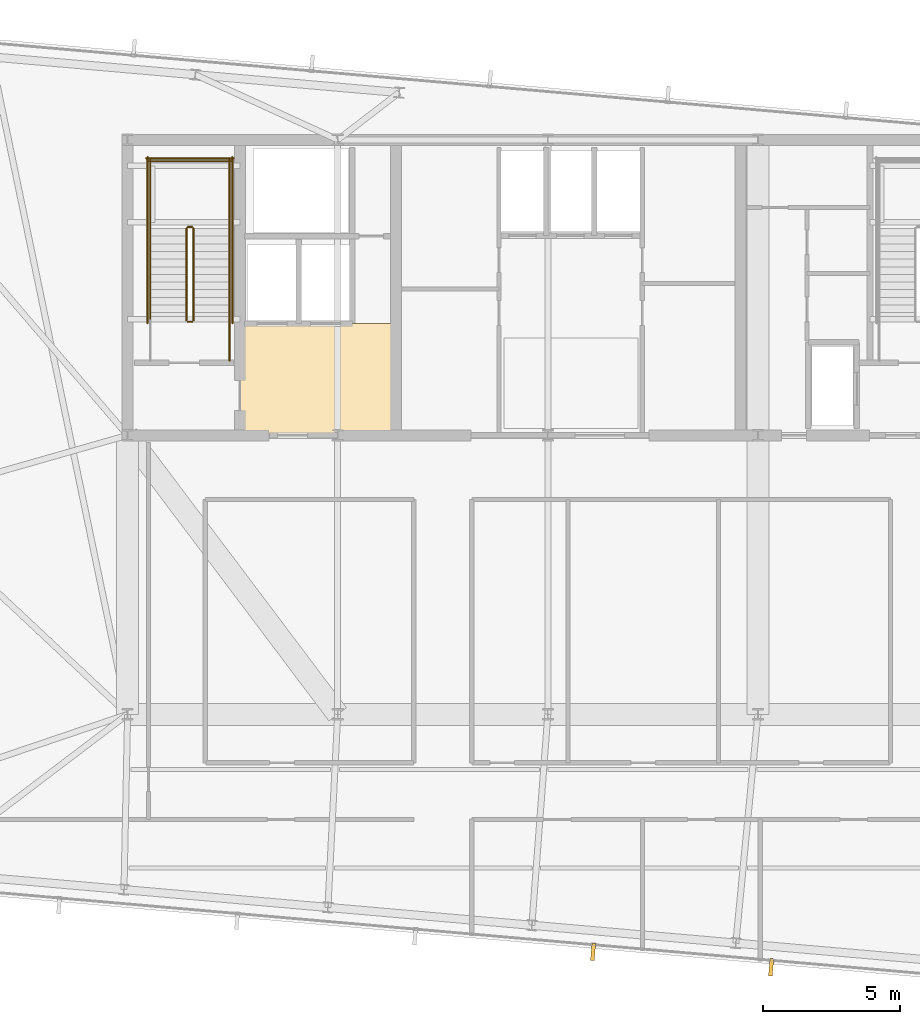
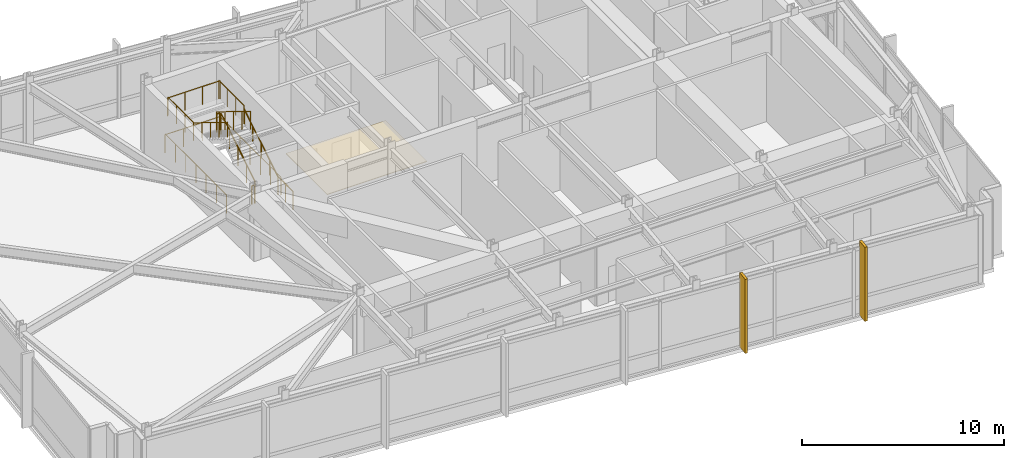
# One storey, part 23 of 25: 13 railings, 2 shading devices, 1 covering.
"""IFC4 building model written with IfcOpenShell, lengths in metres."""

from ifc_helpers import new_model, si_unit, direction, frame, origin, origin_2d, place, context, subcontext, project, spatial, polyline, rectangle, circle, outline, extrude, material, layer, layer_set, type_object, element, save


model = new_model("IFC4")

# Units and contexts
model_context = context("Model", 3, precision=1e-05, world=origin(), true_north=direction((0.0, 1.0)))
body_context = subcontext(model_context, "Body", "Model", "MODEL_VIEW")
ifc_project = project(units=[si_unit("LENGTHUNIT", "METRE"), si_unit("AREAUNIT", "SQUARE_METRE"), si_unit("VOLUMEUNIT", "CUBIC_METRE"), si_unit("PLANEANGLEUNIT", "RADIAN"), si_unit("MASSUNIT", "GRAM", prefix="KILO")], contexts=[model_context])

# Site, building, storey
site_placement = place(None, origin())
site = spatial("IfcSite", under=ifc_project, at=site_placement, CompositionType="ELEMENT")
building_placement = place(site_placement, origin())
building = spatial("IfcBuilding", under=site, at=building_placement, Name="Yelkora Congress Tower", CompositionType="ELEMENT")
storey_placement = place(building_placement, frame((0.0, 0.0, 299.89990234375)))
storey = spatial("IfcBuildingStorey", under=building, at=storey_placement, Name="L84", CompositionType="ELEMENT", Elevation=299.89990234375)

# Covering
ifc_material_1 = material(Name="Perforated mineral-fibre acoustic ceiling", Category="gypsum")
ifc_layer_1 = layer(ifc_material_1, 0.0400390625)
ifc_layer_set_1 = layer_set([ifc_layer_1], Name="Perforated mineral-fibre acoustic ceiling")
covering_type = type_object("IfcCoveringType", Name="COV-CEIL-ACOUSTIC-40", PredefinedType="CEILING", material=ifc_layer_set_1)
covering_placement = place(storey_placement, frame((0.0, 0.0, 2.400146484375)))
element("IfcCovering", 1, at=covering_placement, inside=storey, type_object=covering_type, Name="L84 Firefighting Lobby Acoustic Ceiling", PredefinedType="CEILING", context=body_context, shape_type="SweptSolid", body=[
    extrude(outline(polyline([(27.14990234375, 35.39990234375), (32.85009765625, 35.39990234375), (32.85009765625, 39.47998046875), (27.14990234375, 39.47998046875), (27.14990234375, 35.39990234375)])), origin(), (0.0, 0.0, 1.0), 0.0400390625),
])

# Railings
ifc_material_2 = material(Name="Painted galvanised steel stair well guard with vertical infill", Category="steel")
ifc_layer_2 = layer(ifc_material_2, 0.06005859375)
ifc_layer_set_2 = layer_set([ifc_layer_2], Name="Painted galvanised steel stair well guard with vertical infill")
railing_type_1 = type_object("IfcRailingType", Name="RAIL-STAIR-GUARD-1120", PredefinedType="GUARDRAIL", material=ifc_layer_set_2)
railing_1_placement = place(storey_placement, frame((25.449951171875, 39.60009765625, 0.173095703125)))
element("IfcRailing", 2, at=railing_1_placement, inside=storey, type_object=railing_type_1, Name="ST-01 L84 Stair Well Guardrail 1", PredefinedType="GUARDRAIL", context=body_context, shape_type="SweptSolid", body=[
    extrude(circle(Radius=0.02392578125, at=origin_2d()), frame((0.0, 0.0, 1.09619140625), z_axis=(0.0, 0.850606129759, 0.525803396734), x_axis=(-1.0, 0.0, 0.0)), (0.0, 0.0, 1.0), 3.949951171875),
    extrude(circle(Radius=0.02099609375, at=origin_2d()), origin(), (0.0, 0.0, 1.0), 1.072021484375),
    extrude(circle(Radius=0.02099609375, at=origin_2d()), frame((0.0, 0.83984375, 0.519287109375)), (0.0, 0.0, 1.0), 1.072021484375),
    extrude(circle(Radius=0.02099609375, at=origin_2d()), frame((0.0, 1.679931640625, 1.03857421875)), (0.0, 0.0, 1.0), 1.072021484375),
    extrude(circle(Radius=0.02099609375, at=origin_2d()), frame((0.0, 2.52001953125, 1.5576171875)), (0.0, 0.0, 1.0), 1.072021484375),
    extrude(circle(Radius=0.02099609375, at=origin_2d()), frame((0.0, 3.35986328125, 2.076904296875)), (0.0, 0.0, 1.0), 1.072021484375),
])
railing_2_placement = place(storey_placement, frame((25.39990234375, 43.010009765625, 2.25)))
element("IfcRailing", 3, at=railing_2_placement, inside=storey, type_object=railing_type_1, Name="ST-01 L84 Stair Well Guardrail 2", PredefinedType="GUARDRAIL", context=body_context, shape_type="SweptSolid", body=[
    extrude(circle(Radius=0.02392578125, at=origin_2d()), frame((0.0, 0.0, 1.09619140625), z_axis=(-1.0, 0.0, 0.0), x_axis=(0.0, -1.0, 0.0)), (0.0, 0.0, 1.0), 0.159912109375),
    extrude(circle(Radius=0.02099609375, at=origin_2d()), origin(), (0.0, 0.0, 1.0), 1.072021484375),
    extrude(circle(Radius=0.02099609375, at=origin_2d()), frame((-0.159912109375, 0.0, 0.0)), (0.0, 0.0, 1.0), 1.072021484375),
])
for number, where, name in (
    (4, (26.77001953125, 42.9599609375, 2.25), "ST-01 L84 Stair Well Guardrail 3"),
    (5, (23.8701171875, 42.9599609375, 2.25), "ST-01 L84 Stair Well Guardrail 4"),
):
    element("IfcRailing", number, at=place(storey_placement, frame(where)), inside=storey, type_object=railing_type_1, Name=name, PredefinedType="GUARDRAIL", context=body_context, shape_type="SweptSolid", body=[
        extrude(circle(Radius=0.02392578125, at=origin_2d()), frame((0.0, 0.0, 1.09619140625), z_axis=(0.0, 1.0, 0.0), x_axis=(-1.0, 0.0, 0.0)), (0.0, 0.0, 1.0), 2.510009765625),
        extrude(circle(Radius=0.02099609375, at=origin_2d()), origin(), (0.0, 0.0, 1.0), 1.072021484375),
        extrude(circle(Radius=0.02099609375, at=origin_2d()), frame((0.0, 0.836669921875, 0.0)), (0.0, 0.0, 1.0), 1.072021484375),
        extrude(circle(Radius=0.02099609375, at=origin_2d()), frame((0.0, 1.67333984375, 0.0)), (0.0, 0.0, 1.0), 1.072021484375),
        extrude(circle(Radius=0.02099609375, at=origin_2d()), frame((0.0, 2.510009765625, 0.0)), (0.0, 0.0, 1.0), 1.072021484375),
    ])
railing_3_placement = place(storey_placement, frame((26.820068359375, 45.419921875, 2.25)))
element("IfcRailing", 6, at=railing_3_placement, inside=storey, type_object=railing_type_1, Name="ST-01 L84 Stair Well Guardrail 5", PredefinedType="GUARDRAIL", context=body_context, shape_type="SweptSolid", body=[
    extrude(circle(Radius=0.02392578125, at=origin_2d()), frame((0.0, 0.0, 1.09619140625), z_axis=(-1.0, 0.0, 0.0), x_axis=(0.0, -1.0, 0.0)), (0.0, 0.0, 1.0), 3.0),
    extrude(circle(Radius=0.02099609375, at=origin_2d()), origin(), (0.0, 0.0, 1.0), 1.072021484375),
    extrude(circle(Radius=0.02099609375, at=origin_2d()), frame((-1.0, 0.0, 0.0)), (0.0, 0.0, 1.0), 1.072021484375),
    extrude(circle(Radius=0.02099609375, at=origin_2d()), frame((-2.0, 0.0, 0.0)), (0.0, 0.0, 1.0), 1.072021484375),
    extrude(circle(Radius=0.02099609375, at=origin_2d()), frame((-3.0, 0.0, 0.0)), (0.0, 0.0, 1.0), 1.072021484375),
])
railing_4_placement = place(storey_placement, frame((25.18994140625, 42.9599609375, 2.423095703125)))
element("IfcRailing", 7, at=railing_4_placement, inside=storey, type_object=railing_type_1, Name="ST-01 L84 Stair Well Guardrail 6", PredefinedType="GUARDRAIL", context=body_context, shape_type="SweptSolid", body=[
    extrude(circle(Radius=0.02392578125, at=origin_2d()), frame((0.0, 0.0, 1.09619140625), z_axis=(0.0, -0.850606129759, 0.525803396734), x_axis=(1.0, 0.0, 0.0)), (0.0, 0.0, 1.0), 3.949951171875),
    extrude(circle(Radius=0.02099609375, at=origin_2d()), origin(), (0.0, 0.0, 1.0), 1.072021484375),
    extrude(circle(Radius=0.02099609375, at=origin_2d()), frame((0.0, -0.83984375, 0.519287109375)), (0.0, 0.0, 1.0), 1.072021484375),
    extrude(circle(Radius=0.02099609375, at=origin_2d()), frame((0.0, -1.679931640625, 1.03857421875)), (0.0, 0.0, 1.0), 1.072021484375),
    extrude(circle(Radius=0.02099609375, at=origin_2d()), frame((0.0, -2.52001953125, 1.5576171875)), (0.0, 0.0, 1.0), 1.072021484375),
    extrude(circle(Radius=0.02099609375, at=origin_2d()), frame((0.0, -3.35986328125, 2.076904296875)), (0.0, 0.0, 1.0), 1.072021484375),
])
railing_5_placement = place(storey_placement, frame((25.39990234375, 39.550048828125, 0.0)))
element("IfcRailing", 8, at=railing_5_placement, inside=storey, type_object=railing_type_1, Name="ST-01 L84 Stair Well Guardrail 7", PredefinedType="GUARDRAIL", context=body_context, shape_type="SweptSolid", body=[
    extrude(circle(Radius=0.02392578125, at=origin_2d()), frame((0.0, 0.0, 1.09619140625), z_axis=(-1.0, 0.0, 0.0), x_axis=(0.0, -1.0, 0.0)), (0.0, 0.0, 1.0), 0.159912109375),
    extrude(circle(Radius=0.02099609375, at=origin_2d()), origin(), (0.0, 0.0, 1.0), 1.072021484375),
    extrude(circle(Radius=0.02099609375, at=origin_2d()), frame((-0.159912109375, 0.0, 0.0)), (0.0, 0.0, 1.0), 1.072021484375),
])
railing_6_placement = place(storey_placement, frame((26.77001953125, 38.1201171875, 0.0)))
element("IfcRailing", 9, at=railing_6_placement, inside=storey, type_object=railing_type_1, Name="ST-01 L84 Stair Well Guardrail 8", PredefinedType="GUARDRAIL", context=body_context, shape_type="SweptSolid", body=[
    extrude(circle(Radius=0.02392578125, at=origin_2d()), frame((0.0, 0.0, 1.09619140625), z_axis=(0.0, 1.0, 0.0), x_axis=(-1.0, 0.0, 0.0)), (0.0, 0.0, 1.0), 1.47998046875),
    extrude(circle(Radius=0.02099609375, at=origin_2d()), origin(), (0.0, 0.0, 1.0), 1.072021484375),
    extrude(circle(Radius=0.02099609375, at=origin_2d()), frame((0.0, 0.739990234375, 0.0)), (0.0, 0.0, 1.0), 1.072021484375),
    extrude(circle(Radius=0.02099609375, at=origin_2d()), frame((0.0, 1.47998046875, 0.0)), (0.0, 0.0, 1.0), 1.072021484375),
])
for number, where, name in (
    (10, (26.8701171875, 39.5, 0.0), "ST-01 L84 Stair Well Guardrail 10"),
    (11, (23.77001953125, 39.5, 0.0), "ST-01 L84 Stair Well Guardrail 11"),
):
    element("IfcRailing", number, at=place(storey_placement, frame(where)), inside=storey, type_object=railing_type_1, Name=name, PredefinedType="GUARDRAIL", context=body_context, shape_type="SweptSolid", body=[
        extrude(circle(Radius=0.02392578125, at=origin_2d()), frame((0.0, 0.0, 1.09619140625), z_axis=(0.0, 1.0, 0.0), x_axis=(-1.0, 0.0, 0.0)), (0.0, 0.0, 1.0), 6.070068359375),
        extrude(circle(Radius=0.02099609375, at=origin_2d()), origin(), (0.0, 0.0, 1.0), 1.072021484375),
        extrude(circle(Radius=0.02099609375, at=origin_2d()), frame((0.0, 1.01171875, 0.0)), (0.0, 0.0, 1.0), 1.072021484375),
        extrude(circle(Radius=0.02099609375, at=origin_2d()), frame((0.0, 2.0234375, 0.0)), (0.0, 0.0, 1.0), 1.072021484375),
        extrude(circle(Radius=0.02099609375, at=origin_2d()), frame((0.0, 3.03515625, 0.0)), (0.0, 0.0, 1.0), 1.072021484375),
        extrude(circle(Radius=0.02099609375, at=origin_2d()), frame((0.0, 4.046630859375, 0.0)), (0.0, 0.0, 1.0), 1.072021484375),
        extrude(circle(Radius=0.02099609375, at=origin_2d()), frame((0.0, 5.058349609375, 0.0)), (0.0, 0.0, 1.0), 1.072021484375),
        extrude(circle(Radius=0.02099609375, at=origin_2d()), frame((0.0, 6.070068359375, 0.0)), (0.0, 0.0, 1.0), 1.072021484375),
    ])
railing_7_placement = place(storey_placement, frame((26.919921875, 45.52001953125, 0.0)))
element("IfcRailing", 12, at=railing_7_placement, inside=storey, type_object=railing_type_1, Name="ST-01 L84 Stair Well Guardrail 12", PredefinedType="GUARDRAIL", context=body_context, shape_type="SweptSolid", body=[
    extrude(circle(Radius=0.02392578125, at=origin_2d()), frame((0.0, 0.0, 1.09619140625), z_axis=(-1.0, 0.0, 0.0), x_axis=(0.0, -1.0, 0.0)), (0.0, 0.0, 1.0), 3.199951171875),
    extrude(circle(Radius=0.02099609375, at=origin_2d()), origin(), (0.0, 0.0, 1.0), 1.072021484375),
    extrude(circle(Radius=0.02099609375, at=origin_2d()), frame((-1.066650390625, 0.0, 0.0)), (0.0, 0.0, 1.0), 1.072021484375),
    extrude(circle(Radius=0.02099609375, at=origin_2d()), frame((-2.13330078125, 0.0, 0.0)), (0.0, 0.0, 1.0), 1.072021484375),
    extrude(circle(Radius=0.02099609375, at=origin_2d()), frame((-3.199951171875, 0.0, 0.0)), (0.0, 0.0, 1.0), 1.072021484375),
])
ifc_material_3 = material(Name="Brushed stainless steel tubular handrail", Category="steel")
ifc_layer_3 = layer(ifc_material_3, 0.050048828125)
ifc_layer_set_3 = layer_set([ifc_layer_3], Name="Brushed stainless steel tubular handrail")
railing_type_2 = type_object("IfcRailingType", Name="RAIL-STAIR-HAND-920", PredefinedType="HANDRAIL", material=ifc_layer_set_3)
railing_8_placement = place(storey_placement, frame((26.77001953125, 39.60009765625, 0.173095703125)))
element("IfcRailing", 13, at=railing_8_placement, inside=storey, type_object=railing_type_2, Name="ST-01 L84 Pitch Handrail 1", PredefinedType="HANDRAIL", context=body_context, shape_type="SweptSolid", body=[
    extrude(circle(Radius=0.02392578125, at=origin_2d()), frame((0.0, 0.0, 0.89599609375), z_axis=(0.0, 0.850606129759, 0.525803396734), x_axis=(-1.0, 0.0, 0.0)), (0.0, 0.0, 1.0), 3.949951171875),
    extrude(circle(Radius=0.02099609375, at=origin_2d()), origin(), (0.0, 0.0, 1.0), 0.871826171875),
    extrude(circle(Radius=0.02099609375, at=origin_2d()), frame((0.0, 0.83984375, 0.519287109375)), (0.0, 0.0, 1.0), 0.871826171875),
    extrude(circle(Radius=0.02099609375, at=origin_2d()), frame((0.0, 1.679931640625, 1.03857421875)), (0.0, 0.0, 1.0), 0.871826171875),
    extrude(circle(Radius=0.02099609375, at=origin_2d()), frame((0.0, 2.52001953125, 1.5576171875)), (0.0, 0.0, 1.0), 0.871826171875),
    extrude(circle(Radius=0.02099609375, at=origin_2d()), frame((0.0, 3.35986328125, 2.076904296875)), (0.0, 0.0, 1.0), 0.871826171875),
])
railing_9_placement = place(storey_placement, frame((23.8701171875, 42.9599609375, 2.423095703125)))
element("IfcRailing", 14, at=railing_9_placement, inside=storey, type_object=railing_type_2, Name="ST-01 L84 Pitch Handrail 2", PredefinedType="HANDRAIL", context=body_context, shape_type="SweptSolid", body=[
    extrude(circle(Radius=0.02392578125, at=origin_2d()), frame((0.0, 0.0, 0.89599609375), z_axis=(0.0, -0.850606129759, 0.525803396734), x_axis=(1.0, 0.0, 0.0)), (0.0, 0.0, 1.0), 3.949951171875),
    extrude(circle(Radius=0.02099609375, at=origin_2d()), origin(), (0.0, 0.0, 1.0), 0.871826171875),
    extrude(circle(Radius=0.02099609375, at=origin_2d()), frame((0.0, -0.83984375, 0.519287109375)), (0.0, 0.0, 1.0), 0.871826171875),
    extrude(circle(Radius=0.02099609375, at=origin_2d()), frame((0.0, -1.679931640625, 1.03857421875)), (0.0, 0.0, 1.0), 0.871826171875),
    extrude(circle(Radius=0.02099609375, at=origin_2d()), frame((0.0, -2.52001953125, 1.5576171875)), (0.0, 0.0, 1.0), 0.871826171875),
    extrude(circle(Radius=0.02099609375, at=origin_2d()), frame((0.0, -3.35986328125, 2.076904296875)), (0.0, 0.0, 1.0), 0.871826171875),
])

# Shading devices
ifc_material_4 = material(Name="Champagne anodised aluminium", Category="aluminium")
ifc_layer_4 = layer(ifc_material_4, 3.39990234375)
ifc_layer_set_4 = layer_set([ifc_layer_4], Name="Champagne anodised aluminium")
shading_device_type = type_object("IfcShadingDeviceType", Name="SHD-FIN-ALU-640", PredefinedType="USERDEFINED", material=ifc_layer_set_4)
for number, where, z_axis, x_axis, name in (
    (15, (46.56201171875, 15.950927734375, -0.02978515625), (0.0, 0.0, 1.0), (-0.996194698092, 0.087155742748, 0.0), "L84 Vertical Anodised Solar Fin 20-1"),
    (16, (40.055419921875, 16.520263671875, -0.02978515625), (0.0, 0.0, 1.0), (-0.996194698092, 0.087155742748, 0.0), "L84 Vertical Anodised Solar Fin 20-2"),
):
    element("IfcShadingDevice", number, at=place(storey_placement, frame(where, z_axis=z_axis, x_axis=x_axis)), inside=storey, type_object=shading_device_type, Name=name, ObjectType="FIN", PredefinedType="USERDEFINED", context=body_context, shape_type="SweptSolid", body=[
        extrude(rectangle(XDim=0.139892578125, YDim=0.639892578125, at=origin_2d()), origin(), (0.0, 0.0, 1.0), 4.47998046875),
    ])

save(model, "model.ifc")
